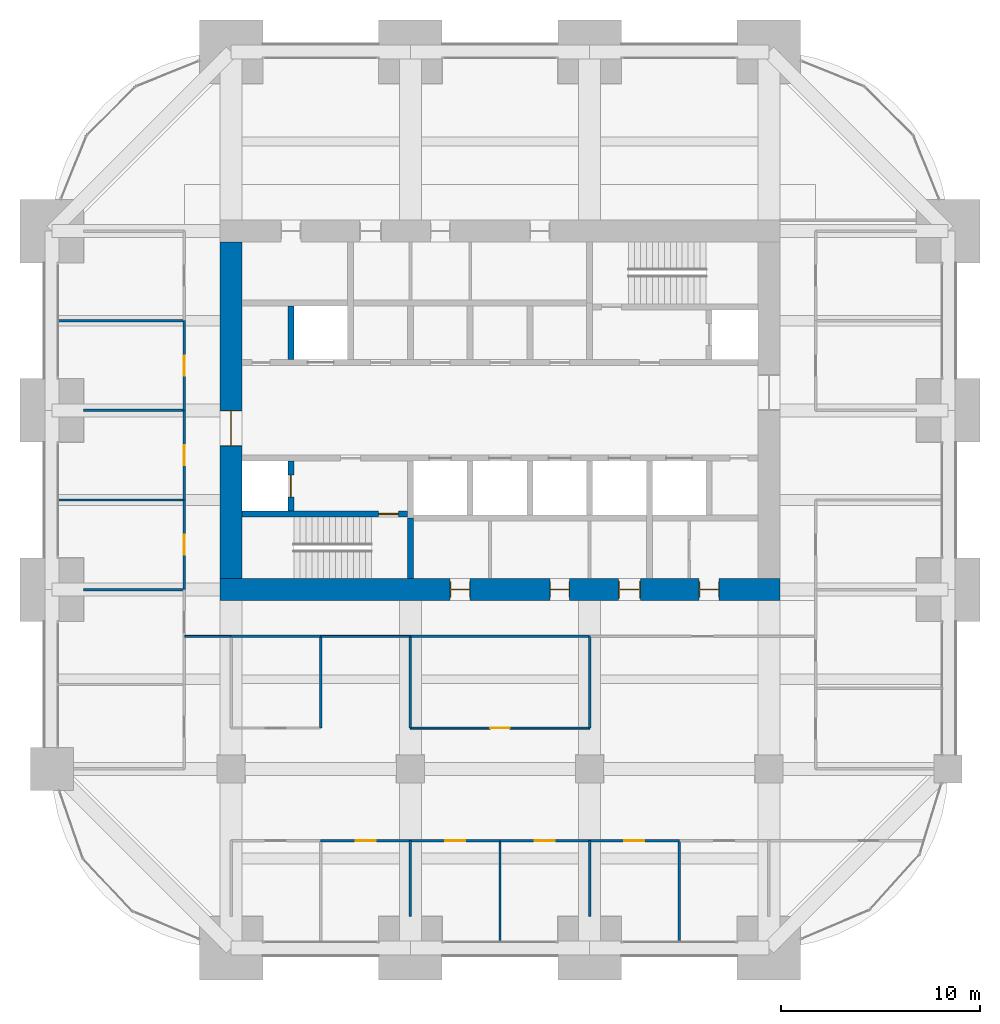
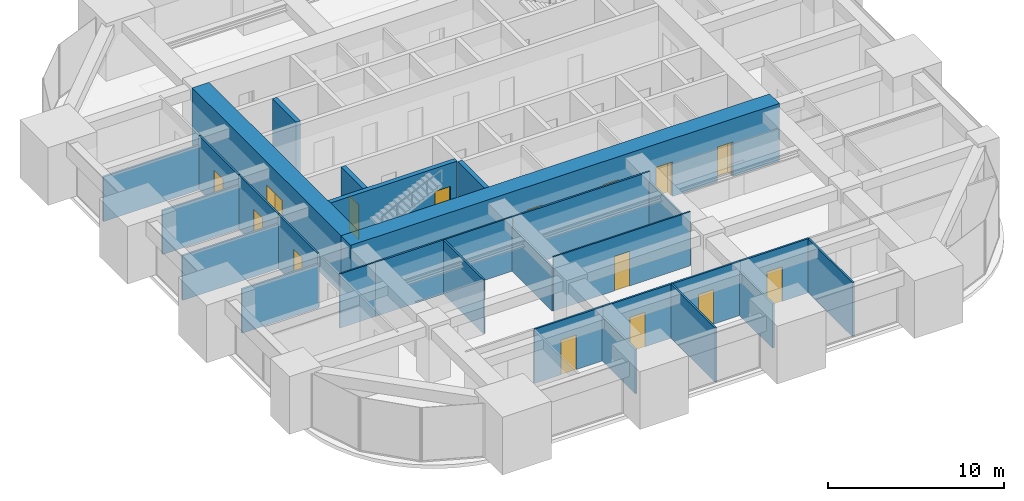
# One storey, part 40 of 43: 29 walls, 15 doors, 15 openings.
"""IFC4 building model written with IfcOpenShell, lengths in metres."""

from ifc_helpers import new_model, si_unit, direction, frame, frame_2d, origin, place, context, subcontext, project, spatial, rectangle, extrude, material, layer, layer_set, type_object, element, fill, save


model = new_model("IFC4")

# Units and contexts
model_context = context("Model", 3, precision=1e-05, world=origin(), true_north=direction((0.0, 1.0)))
body_context = subcontext(model_context, "Body", "Model", "MODEL_VIEW")
ifc_project = project(units=[si_unit("LENGTHUNIT", "METRE"), si_unit("AREAUNIT", "SQUARE_METRE"), si_unit("VOLUMEUNIT", "CUBIC_METRE"), si_unit("PLANEANGLEUNIT", "RADIAN"), si_unit("MASSUNIT", "GRAM", prefix="KILO")], contexts=[model_context])

# Site, building, storey
site_placement = place(None, origin())
site = spatial("IfcSite", under=ifc_project, at=site_placement, CompositionType="ELEMENT")
building_placement = place(site_placement, origin())
building = spatial("IfcBuilding", under=site, at=building_placement, Name="Zorevar Civic Tower", CompositionType="ELEMENT")
storey_placement = place(building_placement, frame((0.0, 0.0, 243.39990234375)))
storey = spatial("IfcBuildingStorey", under=building, at=storey_placement, Name="L59", CompositionType="ELEMENT", Elevation=243.39990234375)

# Wall, openings, doors
ifc_material_1 = material(Name="Concrete C50/60", Category="concrete")
ifc_layer_1 = layer(ifc_material_1, 1.10009765625)
ifc_layer_set_1 = layer_set([ifc_layer_1], Name="Core wall 1100")
wall_type_1 = type_object("IfcWallType", Name="Core wall 1100", PredefinedType="SHEAR", material=ifc_layer_set_1)
wall_1_placement = place(storey_placement, frame((17.449951171875, 18.0, 0.0), z_axis=(0.0, 0.0, 1.0), x_axis=(1.0, 0.0, 0.0)))
wall_1 = element("IfcWall", 1, at=wall_1_placement, inside=storey, type_object=wall_type_1, Name="Core wall S L59", PredefinedType="SHEAR", context=body_context, shape_type="SweptSolid", body=[
    extrude(rectangle(XDim=28.10009765625, YDim=1.10009765625, at=frame_2d((14.050048828125, 0.0))), origin(), (0.0, 0.0, 1.0), 4.0),
])
opening_1_placement = place(wall_1_placement, frame((11.550048828125, 0.0, 0.0)))
opening_1 = element("IfcOpeningElement", 2, at=opening_1_placement, cuts=wall_1, Name="Opening L59.03", PredefinedType="OPENING", context=body_context, shape_type="SweptSolid", body=[
    extrude(rectangle(XDim=1.0, YDim=2.39990234375, at=frame_2d((0.5, 1.199951171875))), frame((0.0, 0.56005859375, 0.0), z_axis=(0.0, -1.0, 0.0), x_axis=(1.0, 0.0, 0.0)), (0.0, 0.0, 1.0), 1.1201171875),
])
opening_2_placement = place(wall_1_placement, frame((16.550048828125, 0.0, 0.0)))
opening_2 = element("IfcOpeningElement", 3, at=opening_2_placement, cuts=wall_1, Name="Opening L59.04", PredefinedType="OPENING", context=body_context, shape_type="SweptSolid", body=[
    extrude(rectangle(XDim=1.0, YDim=2.39990234375, at=frame_2d((0.5, 1.199951171875))), frame((0.0, 0.56005859375, 0.0), z_axis=(0.0, -1.0, 0.0), x_axis=(1.0, 0.0, 0.0)), (0.0, 0.0, 1.0), 1.1201171875),
])
opening_3_placement = place(wall_1_placement, frame((20.0, 0.0, 0.0)))
opening_3 = element("IfcOpeningElement", 4, at=opening_3_placement, cuts=wall_1, Name="Opening L59.05", PredefinedType="OPENING", context=body_context, shape_type="SweptSolid", body=[
    extrude(rectangle(XDim=1.10009765625, YDim=2.39990234375, at=frame_2d((0.550048828125, 1.199951171875))), frame((0.0, 0.56005859375, 0.0), z_axis=(0.0, -1.0, 0.0), x_axis=(1.0, 0.0, 0.0)), (0.0, 0.0, 1.0), 1.1201171875),
])
opening_4_placement = place(wall_1_placement, frame((24.050048828125, 0.0, 0.0)))
opening_4 = element("IfcOpeningElement", 5, at=opening_4_placement, cuts=wall_1, Name="Opening L59.06", PredefinedType="OPENING", context=body_context, shape_type="SweptSolid", body=[
    extrude(rectangle(XDim=1.0, YDim=2.39990234375, at=frame_2d((0.5, 1.199951171875))), frame((0.0, 0.56005859375, 0.0), z_axis=(0.0, -1.0, 0.0), x_axis=(1.0, 0.0, 0.0)), (0.0, 0.0, 1.0), 1.1201171875),
])
ifc_material_2 = material(Name="Timber door set", Category="wood")
door_type_1 = type_object("IfcDoorType", Name="Door D1 1000x2400", OperationType="SINGLE_SWING_LEFT", PredefinedType="DOOR", material=ifc_material_2)
door_1_placement = place(opening_1_placement, origin())
door_1 = element("IfcDoor", 6, at=door_1_placement, inside=storey, type_object=door_type_1, Name="Door L59 02", OperationType="SINGLE_SWING_LEFT", OverallHeight=2.39990234375, OverallWidth=1.0, PredefinedType="DOOR", context=body_context, shape_type="SweptSolid", body=[
    extrude(rectangle(XDim=1.0, YDim=2.39990234375, at=frame_2d((0.5, 1.199951171875))), frame((0.0, 0.02490234375, 0.0), z_axis=(0.0, -1.0, 0.0), x_axis=(1.0, 0.0, 0.0)), (0.0, 0.0, 1.0), 0.050048828125),
    extrude(rectangle(XDim=0.04, YDim=2.39990234375, at=frame_2d((0.02001953125, 1.199951171875))), frame((0.0, 0.39990234375, 0.0), z_axis=(0.0, -1.0, 0.0), x_axis=(1.0, 0.0, 0.0)), (0.0, 0.0, 1.0), 0.800048828125),
    extrude(rectangle(XDim=0.04, YDim=2.39990234375, at=frame_2d((0.97998046875, 1.199951171875))), frame((0.0, 0.39990234375, 0.0), z_axis=(0.0, -1.0, 0.0), x_axis=(1.0, 0.0, 0.0)), (0.0, 0.0, 1.0), 0.800048828125),
    extrude(rectangle(XDim=1.0, YDim=0.04, at=frame_2d((0.5, 2.3798828125))), frame((0.0, 0.39990234375, 0.0), z_axis=(0.0, -1.0, 0.0), x_axis=(1.0, 0.0, 0.0)), (0.0, 0.0, 1.0), 0.800048828125),
])
fill(opening_1, door_1)
door_2_placement = place(opening_2_placement, origin())
door_2 = element("IfcDoor", 7, at=door_2_placement, inside=storey, type_object=door_type_1, Name="Door L59 03", OperationType="SINGLE_SWING_RIGHT", OverallHeight=2.39990234375, OverallWidth=1.0, PredefinedType="DOOR", context=body_context, shape_type="SweptSolid", body=[
    extrude(rectangle(XDim=1.0, YDim=2.39990234375, at=frame_2d((0.5, 1.199951171875))), frame((0.0, 0.02490234375, 0.0), z_axis=(0.0, -1.0, 0.0), x_axis=(1.0, 0.0, 0.0)), (0.0, 0.0, 1.0), 0.050048828125),
    extrude(rectangle(XDim=0.04, YDim=2.39990234375, at=frame_2d((0.02001953125, 1.199951171875))), frame((0.0, 0.39990234375, 0.0), z_axis=(0.0, -1.0, 0.0), x_axis=(1.0, 0.0, 0.0)), (0.0, 0.0, 1.0), 0.800048828125),
    extrude(rectangle(XDim=0.04, YDim=2.39990234375, at=frame_2d((0.97998046875, 1.199951171875))), frame((0.0, 0.39990234375, 0.0), z_axis=(0.0, -1.0, 0.0), x_axis=(1.0, 0.0, 0.0)), (0.0, 0.0, 1.0), 0.800048828125),
    extrude(rectangle(XDim=1.0, YDim=0.04, at=frame_2d((0.5, 2.3798828125))), frame((0.0, 0.39990234375, 0.0), z_axis=(0.0, -1.0, 0.0), x_axis=(1.0, 0.0, 0.0)), (0.0, 0.0, 1.0), 0.800048828125),
])
fill(opening_2, door_2)
door_3_placement = place(opening_4_placement, origin())
door_3 = element("IfcDoor", 8, at=door_3_placement, inside=storey, type_object=door_type_1, Name="Door L59 05", OperationType="SINGLE_SWING_RIGHT", OverallHeight=2.39990234375, OverallWidth=1.0, PredefinedType="DOOR", context=body_context, shape_type="SweptSolid", body=[
    extrude(rectangle(XDim=1.0, YDim=2.39990234375, at=frame_2d((0.5, 1.199951171875))), frame((0.0, 0.02490234375, 0.0), z_axis=(0.0, -1.0, 0.0), x_axis=(1.0, 0.0, 0.0)), (0.0, 0.0, 1.0), 0.050048828125),
    extrude(rectangle(XDim=0.04, YDim=2.39990234375, at=frame_2d((0.02001953125, 1.199951171875))), frame((0.0, 0.39990234375, 0.0), z_axis=(0.0, -1.0, 0.0), x_axis=(1.0, 0.0, 0.0)), (0.0, 0.0, 1.0), 0.800048828125),
    extrude(rectangle(XDim=0.04, YDim=2.39990234375, at=frame_2d((0.97998046875, 1.199951171875))), frame((0.0, 0.39990234375, 0.0), z_axis=(0.0, -1.0, 0.0), x_axis=(1.0, 0.0, 0.0)), (0.0, 0.0, 1.0), 0.800048828125),
    extrude(rectangle(XDim=1.0, YDim=0.04, at=frame_2d((0.5, 2.3798828125))), frame((0.0, 0.39990234375, 0.0), z_axis=(0.0, -1.0, 0.0), x_axis=(1.0, 0.0, 0.0)), (0.0, 0.0, 1.0), 0.800048828125),
])
fill(opening_4, door_3)
ifc_material_3 = material(Name="Timber door set", Category="wood")
door_type_2 = type_object("IfcDoorType", Name="Door D5 1100x2400", OperationType="SINGLE_SWING_LEFT", PredefinedType="DOOR", material=ifc_material_3)
door_4_placement = place(opening_3_placement, origin())
door_4 = element("IfcDoor", 9, at=door_4_placement, inside=storey, type_object=door_type_2, Name="Door L59 04", OperationType="SINGLE_SWING_RIGHT", OverallHeight=2.39990234375, OverallWidth=1.10009765625, PredefinedType="DOOR", context=body_context, shape_type="SweptSolid", body=[
    extrude(rectangle(XDim=1.10009765625, YDim=2.39990234375, at=frame_2d((0.550048828125, 1.199951171875))), frame((0.0, 0.02490234375, 0.0), z_axis=(0.0, -1.0, 0.0), x_axis=(1.0, 0.0, 0.0)), (0.0, 0.0, 1.0), 0.050048828125),
    extrude(rectangle(XDim=0.04, YDim=2.39990234375, at=frame_2d((0.02001953125, 1.199951171875))), frame((0.0, 0.43994140625, 0.0), z_axis=(0.0, -1.0, 0.0), x_axis=(1.0, 0.0, 0.0)), (0.0, 0.0, 1.0), 0.880126953125),
    extrude(rectangle(XDim=0.04, YDim=2.39990234375, at=frame_2d((1.080078125, 1.199951171875))), frame((0.0, 0.43994140625, 0.0), z_axis=(0.0, -1.0, 0.0), x_axis=(1.0, 0.0, 0.0)), (0.0, 0.0, 1.0), 0.880126953125),
    extrude(rectangle(XDim=1.10009765625, YDim=0.04, at=frame_2d((0.550048828125, 2.3798828125))), frame((0.0, 0.43994140625, 0.0), z_axis=(0.0, -1.0, 0.0), x_axis=(1.0, 0.0, 0.0)), (0.0, 0.0, 1.0), 0.880126953125),
])
fill(opening_3, door_4)

# Wall, opening, door
wall_2_placement = place(storey_placement, frame((18.0, 35.449951171875, 0.0), z_axis=(0.0, 0.0, 1.0), x_axis=(0.0, -1.0, 0.0)))
wall_2 = element("IfcWall", 10, at=wall_2_placement, inside=storey, type_object=wall_type_1, Name="Core wall W L59", PredefinedType="SHEAR", context=body_context, shape_type="SweptSolid", body=[
    extrude(rectangle(XDim=16.89990234375, YDim=1.10009765625, at=frame_2d((8.449951171875, 0.0))), origin(), (0.0, 0.0, 1.0), 4.0),
])
opening_5_placement = place(wall_2_placement, frame((8.449951171875, 0.0, 0.0)))
opening_5 = element("IfcOpeningElement", 11, at=opening_5_placement, cuts=wall_2, Name="Opening L59.01", PredefinedType="OPENING", context=body_context, shape_type="SweptSolid", body=[
    extrude(rectangle(XDim=1.800048828125, YDim=2.39990234375, at=frame_2d((0.89990234375, 1.199951171875))), frame((0.0, 0.56005859375, 0.0), z_axis=(0.0, -1.0, 0.0), x_axis=(1.0, 0.0, 0.0)), (0.0, 0.0, 1.0), 1.1201171875),
])
ifc_material_4 = material(Name="Steel door set", Category="steel")
door_type_3 = type_object("IfcDoorType", Name="Fire door FD2 1800x2400", OperationType="DOUBLE_DOOR_DOUBLE_SWING", PredefinedType="DOOR", material=ifc_material_4)
door_5_placement = place(opening_5_placement, origin())
door_5 = element("IfcDoor", 12, at=door_5_placement, inside=storey, type_object=door_type_3, Name="Door L59 00", OperationType="DOUBLE_DOOR_DOUBLE_SWING", OverallHeight=2.39990234375, OverallWidth=1.800048828125, PredefinedType="DOOR", context=body_context, shape_type="SweptSolid", body=[
    extrude(rectangle(XDim=1.800048828125, YDim=2.39990234375, at=frame_2d((0.89990234375, 1.199951171875))), frame((0.0, 0.030029296875, 0.0), z_axis=(0.0, -1.0, 0.0), x_axis=(1.0, 0.0, 0.0)), (0.0, 0.0, 1.0), 0.06005859375),
    extrude(rectangle(XDim=0.04, YDim=2.39990234375, at=frame_2d((0.02001953125, 1.199951171875))), frame((0.0, 0.5498046875, 0.0), z_axis=(0.0, -1.0, 0.0), x_axis=(1.0, 0.0, 0.0)), (0.0, 0.0, 1.0), 1.099609375),
    extrude(rectangle(XDim=0.04, YDim=2.39990234375, at=frame_2d((1.780029296875, 1.199951171875))), frame((0.0, 0.5498046875, 0.0), z_axis=(0.0, -1.0, 0.0), x_axis=(1.0, 0.0, 0.0)), (0.0, 0.0, 1.0), 1.099609375),
    extrude(rectangle(XDim=1.800048828125, YDim=0.04, at=frame_2d((0.89990234375, 2.3798828125))), frame((0.0, 0.5498046875, 0.0), z_axis=(0.0, -1.0, 0.0), x_axis=(1.0, 0.0, 0.0)), (0.0, 0.0, 1.0), 1.099609375),
])
fill(opening_5, door_5)

ifc_material_5 = material(Name="Laminated glass in black aluminium frame", Category="aluminium")
ifc_layer_2 = layer(ifc_material_5, 0.10009765625)
ifc_layer_set_2 = layer_set([ifc_layer_2], Name="Glazed partition 100")
wall_type_2 = type_object("IfcWallType", Name="Glazed partition 100", PredefinedType="PARTITIONING", material=ifc_layer_set_2)
wall_3_placement = place(storey_placement, frame((27.0, 11.050048828125, 0.0), z_axis=(0.0, 0.0, 1.0), x_axis=(1.0, 0.0, 0.0)))
wall_3 = element("IfcWall", 13, at=wall_3_placement, inside=storey, type_object=wall_type_2, Name="Glazed partition 100 L59", PredefinedType="PARTITIONING", context=body_context, shape_type="SweptSolid", body=[
    extrude(rectangle(XDim=9.0, YDim=0.10009765625, at=frame_2d((4.5, 0.0))), origin(), (0.0, 0.0, 1.0), 3.75),
])
opening_6_placement = place(wall_3_placement, frame((4.0, 0.0, 0.0)))
opening_6 = element("IfcOpeningElement", 14, at=opening_6_placement, cuts=wall_3, Name="Opening L59.25", PredefinedType="OPENING", context=body_context, shape_type="SweptSolid", body=[
    extrude(rectangle(XDim=1.0, YDim=2.39990234375, at=frame_2d((0.5, 1.199951171875))), frame((0.0, 0.06005859375, 0.0), z_axis=(0.0, -1.0, 0.0), x_axis=(1.0, 0.0, 0.0)), (0.0, 0.0, 1.0), 0.1201171875),
])
ifc_material_6 = material(Name="Timber door set", Category="wood")
door_type_4 = type_object("IfcDoorType", Name="Glazed door GD1 1000x2400", OperationType="SINGLE_SWING_LEFT", PredefinedType="DOOR", material=ifc_material_6)
door_6_placement = place(opening_6_placement, origin())
door_6 = element("IfcDoor", 15, at=door_6_placement, inside=storey, type_object=door_type_4, Name="Door L59 D1", OperationType="SINGLE_SWING_LEFT", OverallHeight=2.39990234375, OverallWidth=1.0, PredefinedType="DOOR", context=body_context, shape_type="SweptSolid", body=[
    extrude(rectangle(XDim=1.0, YDim=2.39990234375, at=frame_2d((0.5, 1.199951171875))), frame((0.0, 0.02001953125, 0.0), z_axis=(0.0, -1.0, 0.0), x_axis=(1.0, 0.0, 0.0)), (0.0, 0.0, 1.0), 0.0400390625),
])
fill(opening_6, door_6)

# Walls
wall_4_placement = place(storey_placement, frame((22.510009765625, 15.64990234375, 0.0), z_axis=(0.0, 0.0, 1.0), x_axis=(1.0, 0.0, 0.0)))
element("IfcWall", 16, at=wall_4_placement, inside=storey, type_object=wall_type_2, Name="Glazed partition 100 L59", PredefinedType="PARTITIONING", context=body_context, shape_type="SweptSolid", body=[
    extrude(rectangle(XDim=4.47998046875, YDim=0.10009765625, at=frame_2d((2.239990234375, 0.0))), origin(), (0.0, 0.0, 1.0), 3.75),
])
wall_5_placement = place(storey_placement, frame((15.659912109375, 15.64990234375, 0.0), z_axis=(0.0, 0.0, 1.0), x_axis=(1.0, 0.0, 0.0)))
element("IfcWall", 17, at=wall_5_placement, inside=storey, type_object=wall_type_2, Name="Glazed partition 100 L59", PredefinedType="PARTITIONING", context=body_context, shape_type="SweptSolid", body=[
    extrude(rectangle(XDim=2.330078125, YDim=0.10009765625, at=frame_2d((1.1650390625, 0.0))), origin(), (0.0, 0.0, 1.0), 3.75),
])

# Wall, opening, door
ifc_material_7 = material(Name="Concrete C40/50", Category="concrete")
ifc_layer_3 = layer(ifc_material_7, 0.300048828125)
ifc_layer_set_3 = layer_set([ifc_layer_3], Name="Inner core wall 300")
wall_type_3 = type_object("IfcWallType", Name="Inner core wall 300", PredefinedType="SHEAR", material=ifc_layer_set_3)
wall_6_placement = place(storey_placement, frame((18.550048828125, 21.800048828125, 0.0), z_axis=(0.0, 0.0, 1.0), x_axis=(1.0, 0.0, 0.0)))
wall_6 = element("IfcWall", 18, at=wall_6_placement, inside=storey, type_object=wall_type_3, Name="Inner core wall S00 L59", PredefinedType="SHEAR", context=body_context, shape_type="SweptSolid", body=[
    extrude(rectangle(XDim=8.300048828125, YDim=0.300048828125, at=frame_2d((4.14990234375, 0.0))), origin(), (0.0, 0.0, 1.0), 4.0),
])
opening_7_placement = place(wall_6_placement, frame((6.85009765625, 0.0, 0.0)))
opening_7 = element("IfcOpeningElement", 19, at=opening_7_placement, cuts=wall_6, Name="Opening L59.11", PredefinedType="OPENING", context=body_context, shape_type="SweptSolid", body=[
    extrude(rectangle(XDim=1.0, YDim=2.39990234375, at=frame_2d((0.5, 1.199951171875))), frame((0.0, 0.159912109375, 0.0), z_axis=(0.0, -1.0, 0.0), x_axis=(1.0, 0.0, 0.0)), (0.0, 0.0, 1.0), 0.320068359375),
])
ifc_material_8 = material(Name="Steel door set", Category="steel")
door_type_5 = type_object("IfcDoorType", Name="Fire door FD1 1000x2400", OperationType="SINGLE_SWING_LEFT", PredefinedType="DOOR", material=ifc_material_8)
door_7_placement = place(opening_7_placement, origin())
door_7 = element("IfcDoor", 20, at=door_7_placement, inside=storey, type_object=door_type_5, Name="Door L59 10", OperationType="SINGLE_SWING_RIGHT", OverallHeight=2.39990234375, OverallWidth=1.0, PredefinedType="DOOR", context=body_context, shape_type="SweptSolid", body=[
    extrude(rectangle(XDim=1.0, YDim=2.39990234375, at=frame_2d((0.5, 1.199951171875))), frame((0.0, 0.030029296875, 0.0), z_axis=(0.0, -1.0, 0.0), x_axis=(1.0, 0.0, 0.0)), (0.0, 0.0, 1.0), 0.06005859375),
])
fill(opening_7, door_7)

# Wall
wall_7_placement = place(storey_placement, frame((27.0, 18.550048828125, 0.0), z_axis=(0.0, 0.0, 1.0), x_axis=(0.0, 1.0, 0.0)))
element("IfcWall", 21, at=wall_7_placement, inside=storey, type_object=wall_type_3, Name="Inner core wall S01 L59", PredefinedType="SHEAR", context=body_context, shape_type="SweptSolid", body=[
    extrude(rectangle(XDim=3.050048828125, YDim=0.300048828125, at=frame_2d((1.52490234375, 0.0))), origin(), (0.0, 0.0, 1.0), 4.0),
])

# Wall, opening, door
wall_8_placement = place(storey_placement, frame((21.0, 21.949951171875, 0.0), z_axis=(0.0, 0.0, 1.0), x_axis=(0.0, 1.0, 0.0)))
wall_8 = element("IfcWall", 22, at=wall_8_placement, inside=storey, type_object=wall_type_3, Name="Inner core wall S02 L59", PredefinedType="SHEAR", context=body_context, shape_type="SweptSolid", body=[
    extrude(rectangle(XDim=2.5, YDim=0.300048828125, at=frame_2d((1.25, 0.0))), origin(), (0.0, 0.0, 1.0), 4.0),
])
opening_8_placement = place(wall_8_placement, frame((0.699951171875, 0.0, 0.0)))
opening_8 = element("IfcOpeningElement", 23, at=opening_8_placement, cuts=wall_8, Name="Opening L59.FL1", PredefinedType="OPENING", context=body_context, shape_type="SweptSolid", body=[
    extrude(rectangle(XDim=1.10009765625, YDim=2.39990234375, at=frame_2d((0.550048828125, 1.199951171875))), frame((0.0, 0.159912109375, 0.0), z_axis=(0.0, -1.0, 0.0), x_axis=(1.0, 0.0, 0.0)), (0.0, 0.0, 1.0), 0.320068359375),
])
ifc_material_9 = material(Name="Steel door set", Category="steel")
door_type_6 = type_object("IfcDoorType", Name="Firefighting lift landing door LD3 1100x2400", OperationType="DOUBLE_DOOR_SLIDING", PredefinedType="DOOR", material=ifc_material_9)
door_8_placement = place(opening_8_placement, origin())
door_8 = element("IfcDoor", 24, at=door_8_placement, inside=storey, type_object=door_type_6, Name="Landing door FL1 L59", OperationType="DOUBLE_DOOR_SLIDING", OverallHeight=2.39990234375, OverallWidth=1.10009765625, PredefinedType="DOOR", context=body_context, shape_type="SweptSolid", body=[
    extrude(rectangle(XDim=1.10009765625, YDim=2.39990234375, at=frame_2d((0.550048828125, 1.199951171875))), frame((0.0, 0.030029296875, 0.0), z_axis=(0.0, -1.0, 0.0), x_axis=(1.0, 0.0, 0.0)), (0.0, 0.0, 1.0), 0.06005859375),
])
fill(opening_8, door_8)

# Wall
wall_9_placement = place(storey_placement, frame((21.0, 29.550048828125, 0.0), z_axis=(0.0, 0.0, 1.0), x_axis=(0.0, 1.0, 0.0)))
element("IfcWall", 25, at=wall_9_placement, inside=storey, type_object=wall_type_3, Name="Inner core wall N09 L59", PredefinedType="SHEAR", context=body_context, shape_type="SweptSolid", body=[
    extrude(rectangle(XDim=2.699951171875, YDim=0.300048828125, at=frame_2d((1.35009765625, 0.0))), origin(), (0.0, 0.0, 1.0), 4.0),
])

# Wall, opening, door
ifc_material_10 = material(Name="Gypsum board on steel studs", Category="steel")
ifc_layer_4 = layer(ifc_material_10, 0.1201171875)
ifc_layer_set_4 = layer_set([ifc_layer_4], Name="Partition 120")
wall_type_4 = type_object("IfcWallType", Name="Partition 120", PredefinedType="PARTITIONING", material=ifc_layer_set_4)
wall_10_placement = place(storey_placement, frame((22.5, 5.39990234375, 0.0), z_axis=(0.0, 0.0, 1.0), x_axis=(1.0, 0.0, 0.0)))
wall_10 = element("IfcWall", 26, at=wall_10_placement, inside=storey, type_object=wall_type_4, Name="Partition 120 L59", PredefinedType="PARTITIONING", context=body_context, shape_type="SweptSolid", body=[
    extrude(rectangle(XDim=4.5, YDim=0.1201171875, at=frame_2d((2.25, 0.0))), origin(), (0.0, 0.0, 1.0), 3.75),
])
opening_9_placement = place(wall_10_placement, frame((1.75, 0.0, 0.0)))
opening_9 = element("IfcOpeningElement", 27, at=opening_9_placement, cuts=wall_10, Name="Opening L59.18", PredefinedType="OPENING", context=body_context, shape_type="SweptSolid", body=[
    extrude(rectangle(XDim=1.0, YDim=2.39990234375, at=frame_2d((0.5, 1.199951171875))), frame((0.0, 0.070068359375, 0.0), z_axis=(0.0, -1.0, 0.0), x_axis=(1.0, 0.0, 0.0)), (0.0, 0.0, 1.0), 0.14013671875),
])
door_9_placement = place(opening_9_placement, origin())
door_9 = element("IfcDoor", 28, at=door_9_placement, inside=storey, type_object=door_type_1, Name="Door L59 D1", OperationType="SINGLE_SWING_RIGHT", OverallHeight=2.39990234375, OverallWidth=1.0, PredefinedType="DOOR", context=body_context, shape_type="SweptSolid", body=[
    extrude(rectangle(XDim=1.0, YDim=2.39990234375, at=frame_2d((0.5, 1.199951171875))), frame((0.0, 0.02490234375, 0.0), z_axis=(0.0, -1.0, 0.0), x_axis=(1.0, 0.0, 0.0)), (0.0, 0.0, 1.0), 0.050048828125),
])
fill(opening_9, door_9)

wall_11_placement = place(storey_placement, frame((27.0, 5.39990234375, 0.0), z_axis=(0.0, 0.0, 1.0), x_axis=(1.0, 0.0, 0.0)))
wall_11 = element("IfcWall", 29, at=wall_11_placement, inside=storey, type_object=wall_type_4, Name="Partition 120 L59", PredefinedType="PARTITIONING", context=body_context, shape_type="SweptSolid", body=[
    extrude(rectangle(XDim=4.5, YDim=0.1201171875, at=frame_2d((2.25, 0.0))), origin(), (0.0, 0.0, 1.0), 3.75),
])
opening_10_placement = place(wall_11_placement, frame((1.75, 0.0, 0.0)))
opening_10 = element("IfcOpeningElement", 30, at=opening_10_placement, cuts=wall_11, Name="Opening L59.19", PredefinedType="OPENING", context=body_context, shape_type="SweptSolid", body=[
    extrude(rectangle(XDim=1.0, YDim=2.39990234375, at=frame_2d((0.5, 1.199951171875))), frame((0.0, 0.070068359375, 0.0), z_axis=(0.0, -1.0, 0.0), x_axis=(1.0, 0.0, 0.0)), (0.0, 0.0, 1.0), 0.14013671875),
])
door_10_placement = place(opening_10_placement, origin())
door_10 = element("IfcDoor", 31, at=door_10_placement, inside=storey, type_object=door_type_1, Name="Door L59 D1", OperationType="SINGLE_SWING_RIGHT", OverallHeight=2.39990234375, OverallWidth=1.0, PredefinedType="DOOR", context=body_context, shape_type="SweptSolid", body=[
    extrude(rectangle(XDim=1.0, YDim=2.39990234375, at=frame_2d((0.5, 1.199951171875))), frame((0.0, 0.02490234375, 0.0), z_axis=(0.0, -1.0, 0.0), x_axis=(1.0, 0.0, 0.0)), (0.0, 0.0, 1.0), 0.050048828125),
])
fill(opening_10, door_10)

wall_12_placement = place(storey_placement, frame((31.5, 5.39990234375, 0.0), z_axis=(0.0, 0.0, 1.0), x_axis=(1.0, 0.0, 0.0)))
wall_12 = element("IfcWall", 32, at=wall_12_placement, inside=storey, type_object=wall_type_4, Name="Partition 120 L59", PredefinedType="PARTITIONING", context=body_context, shape_type="SweptSolid", body=[
    extrude(rectangle(XDim=4.5, YDim=0.1201171875, at=frame_2d((2.25, 0.0))), origin(), (0.0, 0.0, 1.0), 3.75),
])
opening_11_placement = place(wall_12_placement, frame((1.75, 0.0, 0.0)))
opening_11 = element("IfcOpeningElement", 33, at=opening_11_placement, cuts=wall_12, Name="Opening L59.20", PredefinedType="OPENING", context=body_context, shape_type="SweptSolid", body=[
    extrude(rectangle(XDim=1.0, YDim=2.39990234375, at=frame_2d((0.5, 1.199951171875))), frame((0.0, 0.070068359375, 0.0), z_axis=(0.0, -1.0, 0.0), x_axis=(1.0, 0.0, 0.0)), (0.0, 0.0, 1.0), 0.14013671875),
])
door_11_placement = place(opening_11_placement, origin())
door_11 = element("IfcDoor", 34, at=door_11_placement, inside=storey, type_object=door_type_1, Name="Door L59 D1", OperationType="SINGLE_SWING_LEFT", OverallHeight=2.39990234375, OverallWidth=1.0, PredefinedType="DOOR", context=body_context, shape_type="SweptSolid", body=[
    extrude(rectangle(XDim=1.0, YDim=2.39990234375, at=frame_2d((0.5, 1.199951171875))), frame((0.0, 0.02490234375, 0.0), z_axis=(0.0, -1.0, 0.0), x_axis=(1.0, 0.0, 0.0)), (0.0, 0.0, 1.0), 0.050048828125),
])
fill(opening_11, door_11)

wall_13_placement = place(storey_placement, frame((36.0, 5.39990234375, 0.0), z_axis=(0.0, 0.0, 1.0), x_axis=(1.0, 0.0, 0.0)))
wall_13 = element("IfcWall", 35, at=wall_13_placement, inside=storey, type_object=wall_type_4, Name="Partition 120 L59", PredefinedType="PARTITIONING", context=body_context, shape_type="SweptSolid", body=[
    extrude(rectangle(XDim=4.5, YDim=0.1201171875, at=frame_2d((2.25, 0.0))), origin(), (0.0, 0.0, 1.0), 3.75),
])
opening_12_placement = place(wall_13_placement, frame((1.75, 0.0, 0.0)))
opening_12 = element("IfcOpeningElement", 36, at=opening_12_placement, cuts=wall_13, Name="Opening L59.21", PredefinedType="OPENING", context=body_context, shape_type="SweptSolid", body=[
    extrude(rectangle(XDim=1.0, YDim=2.39990234375, at=frame_2d((0.5, 1.199951171875))), frame((0.0, 0.070068359375, 0.0), z_axis=(0.0, -1.0, 0.0), x_axis=(1.0, 0.0, 0.0)), (0.0, 0.0, 1.0), 0.14013671875),
])
door_12_placement = place(opening_12_placement, origin())
door_12 = element("IfcDoor", 37, at=door_12_placement, inside=storey, type_object=door_type_1, Name="Door L59 D1", OperationType="SINGLE_SWING_LEFT", OverallHeight=2.39990234375, OverallWidth=1.0, PredefinedType="DOOR", context=body_context, shape_type="SweptSolid", body=[
    extrude(rectangle(XDim=1.0, YDim=2.39990234375, at=frame_2d((0.5, 1.199951171875))), frame((0.0, 0.02490234375, 0.0), z_axis=(0.0, -1.0, 0.0), x_axis=(1.0, 0.0, 0.0)), (0.0, 0.0, 1.0), 0.050048828125),
])
fill(opening_12, door_12)

# Walls
wall_14_placement = place(storey_placement, frame((18.0, 15.64990234375, 0.0), z_axis=(0.0, 0.0, 1.0), x_axis=(1.0, 0.0, 0.0)))
element("IfcWall", 38, at=wall_14_placement, inside=storey, type_object=wall_type_4, Name="Partition 120 L59", PredefinedType="PARTITIONING", context=body_context, shape_type="SweptSolid", body=[
    extrude(rectangle(XDim=4.5, YDim=0.1201171875, at=frame_2d((2.25, 0.0))), origin(), (0.0, 0.0, 1.0), 3.75),
])
wall_15_placement = place(storey_placement, frame((27.0, 15.64990234375, 0.0), z_axis=(0.0, 0.0, 1.0), x_axis=(1.0, 0.0, 0.0)))
element("IfcWall", 39, at=wall_15_placement, inside=storey, type_object=wall_type_4, Name="Partition 120 L59", PredefinedType="PARTITIONING", context=body_context, shape_type="SweptSolid", body=[
    extrude(rectangle(XDim=9.0, YDim=0.1201171875, at=frame_2d((4.5, 0.0))), origin(), (0.0, 0.0, 1.0), 3.75),
])
wall_16_placement = place(storey_placement, frame((10.60009765625, 18.0, 0.0), z_axis=(0.0, 0.0, 1.0), x_axis=(1.0, 0.0, 0.0)))
element("IfcWall", 40, at=wall_16_placement, inside=storey, type_object=wall_type_4, Name="Partition 120 L59", PredefinedType="PARTITIONING", context=body_context, shape_type="SweptSolid", body=[
    extrude(rectangle(XDim=5.0498046875, YDim=0.1201171875, at=frame_2d((2.52490234375, 0.0))), origin(), (0.0, 0.0, 1.0), 3.050048828125),
])
wall_17_placement = place(storey_placement, frame((9.31005859375, 22.5, 0.0), z_axis=(0.0, 0.0, 1.0), x_axis=(1.0, 0.0, 0.0)))
element("IfcWall", 41, at=wall_17_placement, inside=storey, type_object=wall_type_4, Name="Partition 120 L59", PredefinedType="PARTITIONING", context=body_context, shape_type="SweptSolid", body=[
    extrude(rectangle(XDim=6.33984375, YDim=0.1201171875, at=frame_2d((3.169921875, 0.0))), origin(), (0.0, 0.0, 1.0), 3.10009765625),
])
wall_18_placement = place(storey_placement, frame((10.60009765625, 27.0, 0.0), z_axis=(0.0, 0.0, 1.0), x_axis=(1.0, 0.0, 0.0)))
element("IfcWall", 42, at=wall_18_placement, inside=storey, type_object=wall_type_4, Name="Partition 120 L59", PredefinedType="PARTITIONING", context=body_context, shape_type="SweptSolid", body=[
    extrude(rectangle(XDim=5.0498046875, YDim=0.1201171875, at=frame_2d((2.52490234375, 0.0))), origin(), (0.0, 0.0, 1.0), 3.050048828125),
])
wall_19_placement = place(storey_placement, frame((9.31005859375, 31.5, 0.0), z_axis=(0.0, 0.0, 1.0), x_axis=(1.0, 0.0, 0.0)))
element("IfcWall", 43, at=wall_19_placement, inside=storey, type_object=wall_type_4, Name="Partition 120 L59", PredefinedType="PARTITIONING", context=body_context, shape_type="SweptSolid", body=[
    extrude(rectangle(XDim=6.33984375, YDim=0.1201171875, at=frame_2d((3.169921875, 0.0))), origin(), (0.0, 0.0, 1.0), 3.10009765625),
])

# Wall, opening, door
wall_20_placement = place(storey_placement, frame((15.64990234375, 18.0, 0.0), z_axis=(0.0, 0.0, 1.0), x_axis=(0.0, 1.0, 0.0)))
wall_20 = element("IfcWall", 44, at=wall_20_placement, inside=storey, type_object=wall_type_4, Name="Partition 120 L59", PredefinedType="PARTITIONING", context=body_context, shape_type="SweptSolid", body=[
    extrude(rectangle(XDim=4.5, YDim=0.1201171875, at=frame_2d((2.25, 0.0))), origin(), (0.0, 0.0, 1.0), 3.75),
])
opening_13_placement = place(wall_20_placement, frame((1.75, 0.0, 0.0)))
opening_13 = element("IfcOpeningElement", 45, at=opening_13_placement, cuts=wall_20, Name="Opening L59.29", PredefinedType="OPENING", context=body_context, shape_type="SweptSolid", body=[
    extrude(rectangle(XDim=1.0, YDim=2.39990234375, at=frame_2d((0.5, 1.199951171875))), frame((0.0, 0.070068359375, 0.0), z_axis=(0.0, -1.0, 0.0), x_axis=(1.0, 0.0, 0.0)), (0.0, 0.0, 1.0), 0.14013671875),
])
door_13_placement = place(opening_13_placement, origin())
door_13 = element("IfcDoor", 46, at=door_13_placement, inside=storey, type_object=door_type_1, Name="Door L59 D1", OperationType="SINGLE_SWING_LEFT", OverallHeight=2.39990234375, OverallWidth=1.0, PredefinedType="DOOR", context=body_context, shape_type="SweptSolid", body=[
    extrude(rectangle(XDim=1.0, YDim=2.39990234375, at=frame_2d((0.5, 1.199951171875))), frame((0.0, 0.02490234375, 0.0), z_axis=(0.0, -1.0, 0.0), x_axis=(1.0, 0.0, 0.0)), (0.0, 0.0, 1.0), 0.050048828125),
])
fill(opening_13, door_13)

wall_21_placement = place(storey_placement, frame((15.64990234375, 22.5, 0.0), z_axis=(0.0, 0.0, 1.0), x_axis=(0.0, 1.0, 0.0)))
wall_21 = element("IfcWall", 47, at=wall_21_placement, inside=storey, type_object=wall_type_4, Name="Partition 120 L59", PredefinedType="PARTITIONING", context=body_context, shape_type="SweptSolid", body=[
    extrude(rectangle(XDim=4.5, YDim=0.1201171875, at=frame_2d((2.25, 0.0))), origin(), (0.0, 0.0, 1.0), 3.75),
])
opening_14_placement = place(wall_21_placement, frame((1.75, 0.0, 0.0)))
opening_14 = element("IfcOpeningElement", 48, at=opening_14_placement, cuts=wall_21, Name="Opening L59.30", PredefinedType="OPENING", context=body_context, shape_type="SweptSolid", body=[
    extrude(rectangle(XDim=1.0, YDim=2.39990234375, at=frame_2d((0.5, 1.199951171875))), frame((0.0, 0.070068359375, 0.0), z_axis=(0.0, -1.0, 0.0), x_axis=(1.0, 0.0, 0.0)), (0.0, 0.0, 1.0), 0.14013671875),
])
door_14_placement = place(opening_14_placement, origin())
door_14 = element("IfcDoor", 49, at=door_14_placement, inside=storey, type_object=door_type_1, Name="Door L59 D1", OperationType="SINGLE_SWING_LEFT", OverallHeight=2.39990234375, OverallWidth=1.0, PredefinedType="DOOR", context=body_context, shape_type="SweptSolid", body=[
    extrude(rectangle(XDim=1.0, YDim=2.39990234375, at=frame_2d((0.5, 1.199951171875))), frame((0.0, 0.02490234375, 0.0), z_axis=(0.0, -1.0, 0.0), x_axis=(1.0, 0.0, 0.0)), (0.0, 0.0, 1.0), 0.050048828125),
])
fill(opening_14, door_14)

wall_22_placement = place(storey_placement, frame((15.64990234375, 27.0, 0.0), z_axis=(0.0, 0.0, 1.0), x_axis=(0.0, 1.0, 0.0)))
wall_22 = element("IfcWall", 50, at=wall_22_placement, inside=storey, type_object=wall_type_4, Name="Partition 120 L59", PredefinedType="PARTITIONING", context=body_context, shape_type="SweptSolid", body=[
    extrude(rectangle(XDim=4.5, YDim=0.1201171875, at=frame_2d((2.25, 0.0))), origin(), (0.0, 0.0, 1.0), 3.75),
])
opening_15_placement = place(wall_22_placement, frame((1.75, 0.0, 0.0)))
opening_15 = element("IfcOpeningElement", 51, at=opening_15_placement, cuts=wall_22, Name="Opening L59.31", PredefinedType="OPENING", context=body_context, shape_type="SweptSolid", body=[
    extrude(rectangle(XDim=1.0, YDim=2.39990234375, at=frame_2d((0.5, 1.199951171875))), frame((0.0, 0.070068359375, 0.0), z_axis=(0.0, -1.0, 0.0), x_axis=(1.0, 0.0, 0.0)), (0.0, 0.0, 1.0), 0.14013671875),
])
door_15_placement = place(opening_15_placement, origin())
door_15 = element("IfcDoor", 52, at=door_15_placement, inside=storey, type_object=door_type_1, Name="Door L59 D1", OperationType="SINGLE_SWING_RIGHT", OverallHeight=2.39990234375, OverallWidth=1.0, PredefinedType="DOOR", context=body_context, shape_type="SweptSolid", body=[
    extrude(rectangle(XDim=1.0, YDim=2.39990234375, at=frame_2d((0.5, 1.199951171875))), frame((0.0, 0.02490234375, 0.0), z_axis=(0.0, -1.0, 0.0), x_axis=(1.0, 0.0, 0.0)), (0.0, 0.0, 1.0), 0.050048828125),
])
fill(opening_15, door_15)

# Walls
wall_23_placement = place(storey_placement, frame((22.5, 11.050048828125, 0.0), z_axis=(0.0, 0.0, 1.0), x_axis=(0.0, 1.0, 0.0)))
element("IfcWall", 53, at=wall_23_placement, inside=storey, type_object=wall_type_4, Name="Partition 120 L59", PredefinedType="PARTITIONING", context=body_context, shape_type="SweptSolid", body=[
    extrude(rectangle(XDim=4.599853515625, YDim=0.1201171875, at=frame_2d((2.2998046875, 0.0))), origin(), (0.0, 0.0, 1.0), 3.75),
])
wall_24_placement = place(storey_placement, frame((27.0, 1.60009765625, 0.0), z_axis=(0.0, 0.0, 1.0), x_axis=(0.0, 1.0, 0.0)))
element("IfcWall", 54, at=wall_24_placement, inside=storey, type_object=wall_type_4, Name="Partition 120 L59", PredefinedType="PARTITIONING", context=body_context, shape_type="SweptSolid", body=[
    extrude(rectangle(XDim=3.7998046875, YDim=0.1201171875, at=frame_2d((1.89990234375, 0.0))), origin(), (0.0, 0.0, 1.0), 3.050048828125),
])
wall_25_placement = place(storey_placement, frame((27.0, 11.050048828125, 0.0), z_axis=(0.0, 0.0, 1.0), x_axis=(0.0, 1.0, 0.0)))
element("IfcWall", 55, at=wall_25_placement, inside=storey, type_object=wall_type_4, Name="Partition 120 L59", PredefinedType="PARTITIONING", context=body_context, shape_type="SweptSolid", body=[
    extrude(rectangle(XDim=4.599853515625, YDim=0.1201171875, at=frame_2d((2.2998046875, 0.0))), origin(), (0.0, 0.0, 1.0), 3.050048828125),
])
wall_26_placement = place(storey_placement, frame((31.5, 0.31005859375, 0.0), z_axis=(0.0, 0.0, 1.0), x_axis=(0.0, 1.0, 0.0)))
element("IfcWall", 56, at=wall_26_placement, inside=storey, type_object=wall_type_4, Name="Partition 120 L59", PredefinedType="PARTITIONING", context=body_context, shape_type="SweptSolid", body=[
    extrude(rectangle(XDim=5.08984375, YDim=0.1201171875, at=frame_2d((2.544921875, 0.0))), origin(), (0.0, 0.0, 1.0), 3.75),
])
wall_27_placement = place(storey_placement, frame((36.0, 1.60009765625, 0.0), z_axis=(0.0, 0.0, 1.0), x_axis=(0.0, 1.0, 0.0)))
element("IfcWall", 57, at=wall_27_placement, inside=storey, type_object=wall_type_4, Name="Partition 120 L59", PredefinedType="PARTITIONING", context=body_context, shape_type="SweptSolid", body=[
    extrude(rectangle(XDim=3.7998046875, YDim=0.1201171875, at=frame_2d((1.89990234375, 0.0))), origin(), (0.0, 0.0, 1.0), 3.050048828125),
])
wall_28_placement = place(storey_placement, frame((36.0, 11.050048828125, 0.0), z_axis=(0.0, 0.0, 1.0), x_axis=(0.0, 1.0, 0.0)))
element("IfcWall", 58, at=wall_28_placement, inside=storey, type_object=wall_type_4, Name="Partition 120 L59", PredefinedType="PARTITIONING", context=body_context, shape_type="SweptSolid", body=[
    extrude(rectangle(XDim=4.599853515625, YDim=0.1201171875, at=frame_2d((2.2998046875, 0.0))), origin(), (0.0, 0.0, 1.0), 3.050048828125),
])
wall_29_placement = place(storey_placement, frame((40.5, 0.31005859375, 0.0), z_axis=(0.0, 0.0, 1.0), x_axis=(0.0, 1.0, 0.0)))
element("IfcWall", 59, at=wall_29_placement, inside=storey, type_object=wall_type_4, Name="Partition 120 L59", PredefinedType="PARTITIONING", context=body_context, shape_type="SweptSolid", body=[
    extrude(rectangle(XDim=5.08984375, YDim=0.1201171875, at=frame_2d((2.544921875, 0.0))), origin(), (0.0, 0.0, 1.0), 3.75),
])

save(model, "model.ifc")
